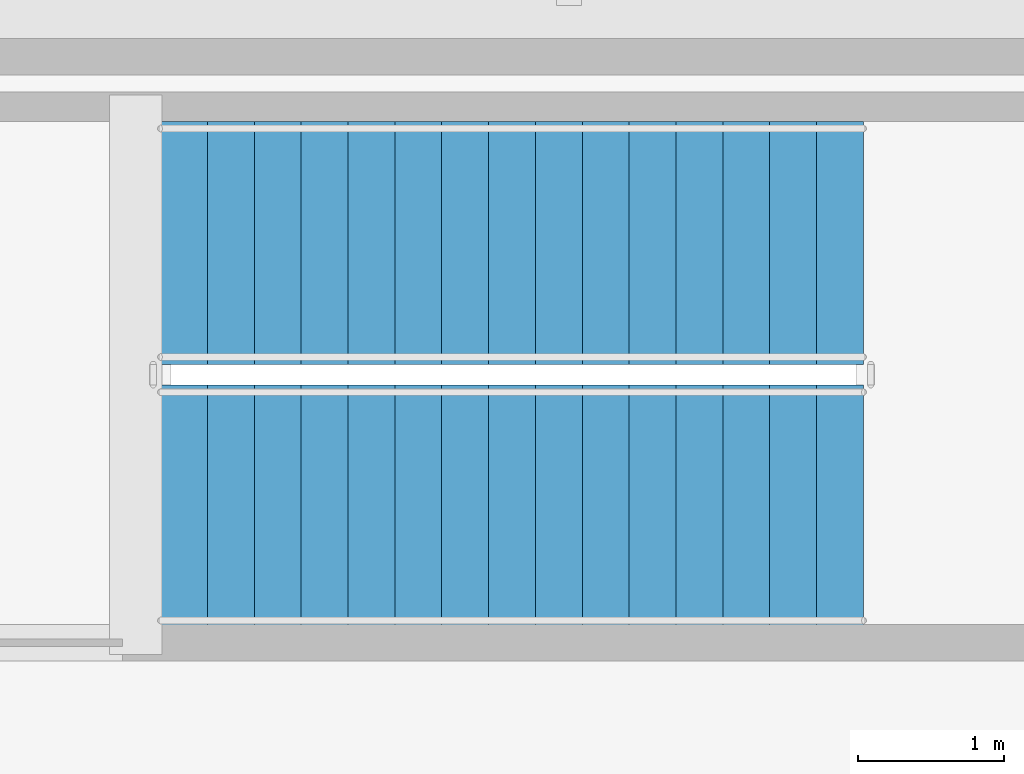
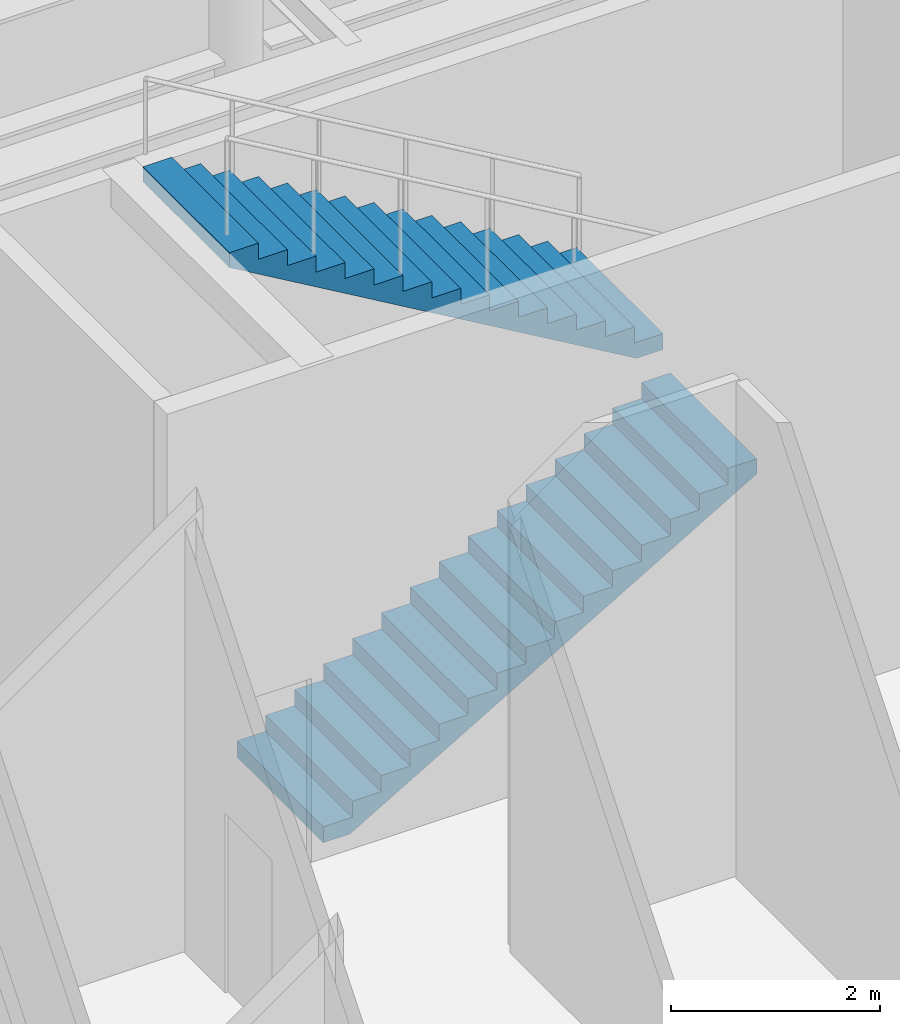
# One storey, part 16 of 20: 2 stair flights, 1 element without a shape of its own.
"""IFC4 building model written with IfcOpenShell, lengths in metres."""

from ifc_helpers import new_model, si_unit, direction, frame, origin, place, context, subcontext, project, spatial, polyline, outline, extrude, material, type_object, element, aggregate, save


model = new_model("IFC4")

# Units and contexts
model_context = context("Model", 3, precision=1e-05, world=origin(), true_north=direction((0.0, 1.0)))
body_context = subcontext(model_context, "Body", "Model", "MODEL_VIEW")
ifc_project = project(units=[si_unit("LENGTHUNIT", "METRE"), si_unit("AREAUNIT", "SQUARE_METRE"), si_unit("VOLUMEUNIT", "CUBIC_METRE"), si_unit("PLANEANGLEUNIT", "RADIAN"), si_unit("MASSUNIT", "GRAM", prefix="KILO")], contexts=[model_context])

# Site, building, storey
site_placement = place(None, origin())
site = spatial("IfcSite", under=ifc_project, at=site_placement, CompositionType="ELEMENT")
building_placement = place(site_placement, origin())
building = spatial("IfcBuilding", under=site, at=building_placement, Name="Kallvorn Hotel Tower", CompositionType="ELEMENT")
storey_placement = place(building_placement, frame((0.0, 0.0, 276.199951171875)))
storey = spatial("IfcBuildingStorey", under=building, at=storey_placement, Name="L69", CompositionType="ELEMENT", Elevation=276.199951171875)

# Stair, stair flights
ifc_material_1 = material(Name="Precast concrete C40/50", Category="concrete")
stair_type = type_object("IfcStairType", Name="STR_CORE_DOGLEG", PredefinedType="HALF_TURN_STAIR", material=ifc_material_1)
stair_placement = place(storey_placement, origin())
stair = element("IfcStair", 1, at=stair_placement, inside=storey, type_object=stair_type, Name="L69 Exit stair ST3", PredefinedType="HALF_TURN_STAIR")
ifc_material_2 = material(Name="Precast concrete C40/50", Category="concrete")
stair_flight_type = type_object("IfcStairFlightType", Name="FLT_CORE_1660", PredefinedType="STRAIGHT", material=ifc_material_2)
stair_flight_1_placement = place(storey_placement, frame((-2.7900390625, 3.8798828125, 0.0), z_axis=(0.0, 0.0, 1.0), x_axis=(1.0, 0.0, 0.0)))
stair_flight_1 = element("IfcStairFlight", 2, at=stair_flight_1_placement, type_object=stair_flight_type, Name="ST3 flight 1", NumberOfRisers=16, NumberOfTreads=15, PredefinedType="STRAIGHT", RiserHeight=0.1875, TreadLength=0.32, context=body_context, shape_type="SweptSolid", body=[
    extrude(outline(polyline([(0.0, 0.0), (0.0, 0.1875), (0.320068359375, 0.1875), (0.320068359375, 0.375), (0.639892578125, 0.375), (0.639892578125, 0.5625), (0.9599609375, 0.5625), (0.9599609375, 0.75), (1.280029296875, 0.75), (1.280029296875, 0.9375), (1.60009765625, 0.9375), (1.60009765625, 1.125), (1.919921875, 1.125), (1.919921875, 1.3125), (2.239990234375, 1.3125), (2.239990234375, 1.5), (2.56005859375, 1.5), (2.56005859375, 1.6875), (2.8798828125, 1.6875), (2.8798828125, 1.875), (3.199951171875, 1.875), (3.199951171875, 2.0625), (3.52001953125, 2.0625), (3.52001953125, 2.25), (3.840087890625, 2.25), (3.840087890625, 2.4375), (4.159912109375, 2.4375), (4.159912109375, 2.625), (4.47998046875, 2.625), (4.47998046875, 2.8125), (4.800048828125, 2.8125), (4.800048828125, 3.0), (4.800048828125, 2.638671875), (0.296630859375, 0.0), (0.0, 0.0)])), frame((0.0, 0.830078125, 0.0), z_axis=(0.0, -1.0, 0.0), x_axis=(1.0, 0.0, 0.0)), (0.0, 0.0, 1.0), 1.659912109375),
])
stair_flight_2_placement = place(storey_placement, frame((2.010009765625, 5.679931640625, 3.0), z_axis=(0.0, 0.0, 1.0), x_axis=(-1.0, 0.0, 0.0)))
stair_flight_2 = element("IfcStairFlight", 3, at=stair_flight_2_placement, type_object=stair_flight_type, Name="ST3 flight 2", NumberOfRisers=16, NumberOfTreads=15, PredefinedType="STRAIGHT", RiserHeight=0.1875, TreadLength=0.32, context=body_context, shape_type="SweptSolid", body=[
    extrude(outline(polyline([(0.0, 0.0), (0.0, 0.1875), (0.320068359375, 0.1875), (0.320068359375, 0.375), (0.639892578125, 0.375), (0.639892578125, 0.5625), (0.9599609375, 0.5625), (0.9599609375, 0.75), (1.280029296875, 0.75), (1.280029296875, 0.9375), (1.60009765625, 0.9375), (1.60009765625, 1.125), (1.919921875, 1.125), (1.919921875, 1.3125), (2.239990234375, 1.3125), (2.239990234375, 1.5), (2.56005859375, 1.5), (2.56005859375, 1.6875), (2.8798828125, 1.6875), (2.8798828125, 1.875), (3.199951171875, 1.875), (3.199951171875, 2.0625), (3.52001953125, 2.0625), (3.52001953125, 2.25), (3.840087890625, 2.25), (3.840087890625, 2.4375), (4.159912109375, 2.4375), (4.159912109375, 2.625), (4.47998046875, 2.625), (4.47998046875, 2.8125), (4.800048828125, 2.8125), (4.800048828125, 3.0), (4.800048828125, 2.638671875), (0.296630859375, 0.0), (0.0, 0.0)])), frame((0.0, 0.830078125, 0.0), z_axis=(0.0, -1.0, 0.0), x_axis=(1.0, 0.0, 0.0)), (0.0, 0.0, 1.0), 1.659912109375),
])
aggregate(stair, [stair_flight_1, stair_flight_2])

save(model, "model.ifc")
